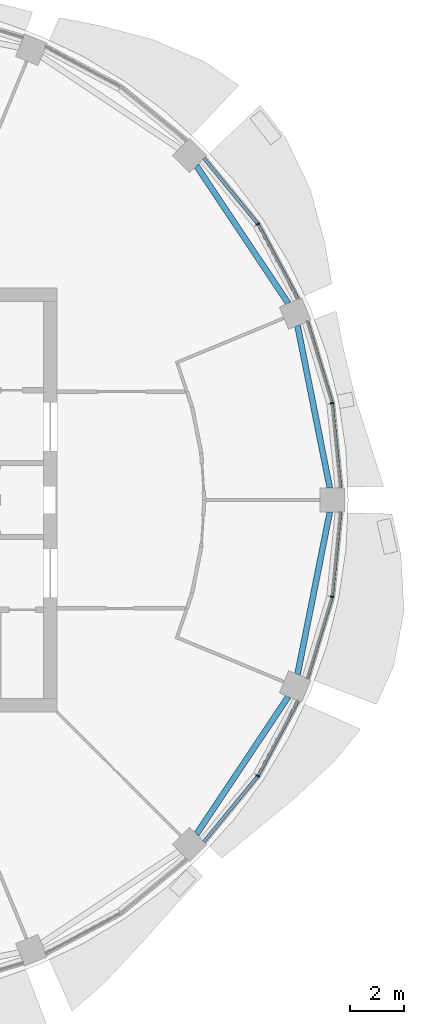
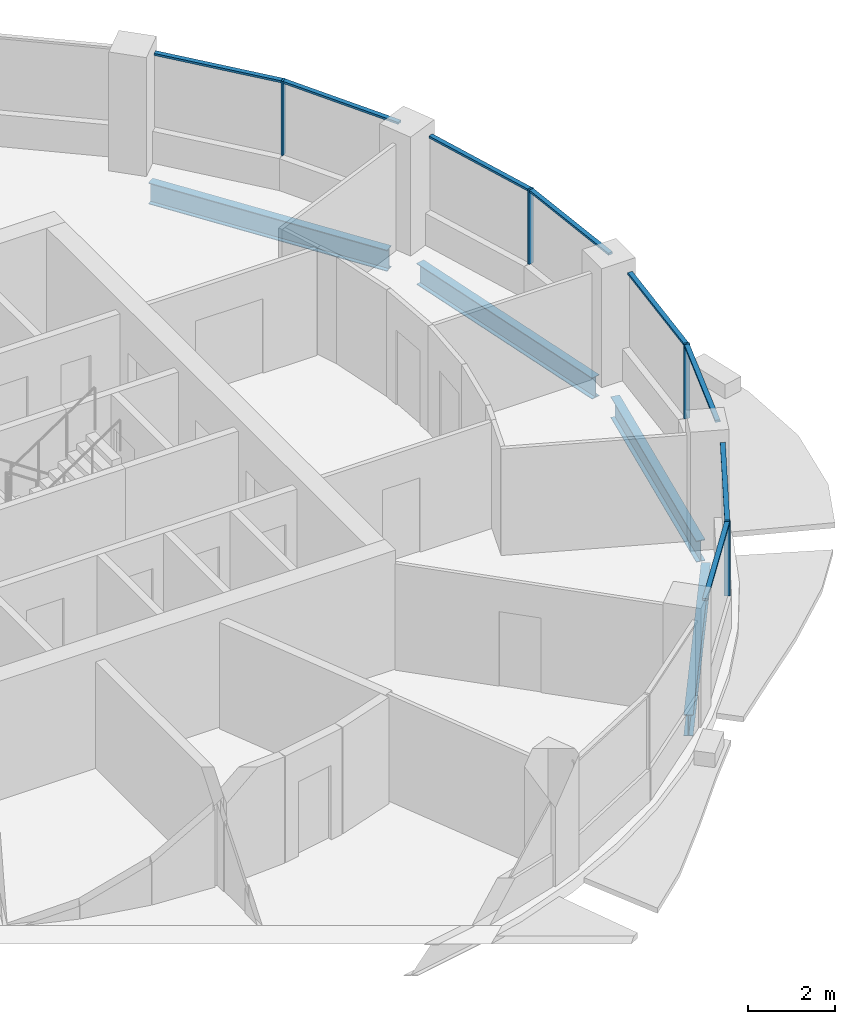
# One storey, part 5 of 15: 12 members, 4 beams, 4 elements without a shape of their own.
"""IFC4 building model written with IfcOpenShell, lengths in metres."""

from ifc_helpers import new_model, si_unit, direction, frame, origin, origin_2d, place, context, subcontext, project, spatial, rectangle, i_section, extrude, material, material_profile, profile_set, type_object, element, aggregate, save


model = new_model("IFC4")

# Units and contexts
model_context = context("Model", 3, precision=1e-05, world=origin(), true_north=direction((0.0, 1.0)))
body_context = subcontext(model_context, "Body", "Model", "MODEL_VIEW")
ifc_project = project(units=[si_unit("LENGTHUNIT", "METRE"), si_unit("AREAUNIT", "SQUARE_METRE"), si_unit("VOLUMEUNIT", "CUBIC_METRE"), si_unit("PLANEANGLEUNIT", "RADIAN"), si_unit("MASSUNIT", "GRAM", prefix="KILO")], contexts=[model_context])

# Site, building, storey
site_placement = place(None, origin())
site = spatial("IfcSite", under=ifc_project, at=site_placement, CompositionType="ELEMENT")
building_placement = place(site_placement, origin())
building = spatial("IfcBuilding", under=site, at=building_placement, Name="Polderwave Tower", CompositionType="ELEMENT")
storey_placement = place(building_placement, frame((0.0, 0.0, 167.550048828125)))
storey = spatial("IfcBuildingStorey", under=building, at=storey_placement, Name="L44", CompositionType="ELEMENT", Elevation=167.550048828125)

# Curtain wall, member
ifc_material_1 = material(Name="Aluminium 6063-T6 and glass", Category="aluminium")
curtain_wall_type = type_object("IfcCurtainWallType", Name="Office ribbon glazing wall", PredefinedType="NOTDEFINED", material=ifc_material_1)
curtain_wall_1_placement = place(storey_placement, origin())
curtain_wall_1 = element("IfcCurtainWall", 1, at=curtain_wall_1_placement, inside=storey, type_object=curtain_wall_type, Name="CW3 L44 00", PredefinedType="NOTDEFINED")
ifc_material_2 = material(Name="Aluminium 6063-T6", Category="aluminium")
ifc_material_profile_1 = material_profile(ifc_material_2, rectangle(XDim=0.139892578125, YDim=0.054931640625, at=origin_2d()), Name="AL 55x140")
ifc_profile_set_1 = profile_set([ifc_material_profile_1], Name="Aluminium 6063-T6")
member_type_1 = type_object("IfcMemberType", Name="Office ribbon glazing mullion 55x140", PredefinedType="MULLION", material=ifc_profile_set_1)
member_1_placement = place(storey_placement, frame((18.094970703125, 3.59912109375, 0.89990234375), z_axis=(0.0, 0.0, 1.0), x_axis=(-0.980783918392, -0.195097169184, 0.0)))
member_1 = element("IfcMember", 2, at=member_1_placement, type_object=member_type_1, Name="CW3 mullion 1", PredefinedType="MULLION", context=body_context, shape_type="SweptSolid", body=[
    extrude(rectangle(XDim=0.139892578125, YDim=0.054931640625, at=origin_2d()), origin(), (0.0, 0.0, 1.0), 2.10009765625),
])

curtain_wall_2_placement = place(storey_placement, origin())
curtain_wall_2 = element("IfcCurtainWall", 3, at=curtain_wall_2_placement, inside=storey, type_object=curtain_wall_type, Name="CW3 L44 01", PredefinedType="NOTDEFINED")
member_2_placement = place(storey_placement, frame((15.341064453125, 10.25, 0.89990234375), z_axis=(0.0, 0.0, 1.0), x_axis=(-0.831547176436, -0.555454132545, 0.0)))
member_2 = element("IfcMember", 4, at=member_2_placement, type_object=member_type_1, Name="CW3 mullion 1", PredefinedType="MULLION", context=body_context, shape_type="SweptSolid", body=[
    extrude(rectangle(XDim=0.139892578125, YDim=0.054931640625, at=origin_2d()), origin(), (0.0, 0.0, 1.0), 2.10009765625),
])

curtain_wall_3_placement = place(storey_placement, origin())
curtain_wall_3 = element("IfcCurtainWall", 5, at=curtain_wall_3_placement, inside=storey, type_object=curtain_wall_type, Name="CW3 L44 14", PredefinedType="NOTDEFINED")
member_3_placement = place(storey_placement, frame((15.341064453125, -10.25, 0.89990234375), z_axis=(0.0, 0.0, 1.0), x_axis=(-0.831547176436, 0.555454132545, 0.0)))
member_3 = element("IfcMember", 6, at=member_3_placement, type_object=member_type_1, Name="CW3 mullion 1", PredefinedType="MULLION", context=body_context, shape_type="SweptSolid", body=[
    extrude(rectangle(XDim=0.139892578125, YDim=0.054931640625, at=origin_2d()), origin(), (0.0, 0.0, 1.0), 2.10009765625),
])

curtain_wall_4_placement = place(storey_placement, origin())
curtain_wall_4 = element("IfcCurtainWall", 7, at=curtain_wall_4_placement, inside=storey, type_object=curtain_wall_type, Name="CW3 L44 15", PredefinedType="NOTDEFINED")
member_4_placement = place(storey_placement, frame((18.094970703125, -3.59912109375, 0.89990234375), z_axis=(0.0, 0.0, 1.0), x_axis=(-0.980783918392, 0.195097169184, 0.0)))
member_4 = element("IfcMember", 8, at=member_4_placement, type_object=member_type_1, Name="CW3 mullion 1", PredefinedType="MULLION", context=body_context, shape_type="SweptSolid", body=[
    extrude(rectangle(XDim=0.139892578125, YDim=0.054931640625, at=origin_2d()), origin(), (0.0, 0.0, 1.0), 2.10009765625),
])

# Member
ifc_material_profile_2 = material_profile(ifc_material_2, rectangle(XDim=0.1201171875, YDim=0.06005859375, at=origin_2d()), Name="AL 60x120")
ifc_profile_set_2 = profile_set([ifc_material_profile_2], Name="Aluminium 6063-T6")
member_type_2 = type_object("IfcMemberType", Name="Office ribbon glazing transom 60x120", PredefinedType="USERDEFINED", material=ifc_profile_set_2)
member_5_placement = place(storey_placement, frame((18.406005859375, 0.449951171875, 2.969970703125), z_axis=(-0.098301492731, 0.995156679386, 0.0), x_axis=(-0.995156679386, -0.098301492731, 0.0)))
member_5 = element("IfcMember", 9, at=member_5_placement, type_object=member_type_2, Name="CW3 transom 1", ObjectType="TRANSOM", PredefinedType="USERDEFINED", context=body_context, shape_type="SweptSolid", body=[
    extrude(rectangle(XDim=0.1201171875, YDim=0.06005859375, at=origin_2d()), origin(), (0.0, 0.0, 1.0), 3.13671875),
])

member_6_placement = place(storey_placement, frame((18.0869140625, 3.625244140625, 2.969970703125), z_axis=(-0.29000955494, 0.957023749989, 0.0), x_axis=(-0.957023749989, -0.29000955494, 0.0)))
member_6 = element("IfcMember", 10, at=member_6_placement, type_object=member_type_2, Name="CW3 transom 2", ObjectType="TRANSOM", PredefinedType="USERDEFINED", context=body_context, shape_type="SweptSolid", body=[
    extrude(rectangle(XDim=0.1201171875, YDim=0.06005859375, at=origin_2d()), origin(), (0.0, 0.0, 1.0), 3.137451171875),
])

aggregate(curtain_wall_1, [member_1, member_5, member_6])

member_7_placement = place(storey_placement, frame((16.83203125, 7.458984375, 2.969970703125), z_axis=(-0.471210255925, 0.882020915121, 0.0), x_axis=(-0.882020915121, -0.471210255925, 0.0)))
member_7 = element("IfcMember", 11, at=member_7_placement, type_object=member_type_2, Name="CW3 transom 1", ObjectType="TRANSOM", PredefinedType="USERDEFINED", context=body_context, shape_type="SweptSolid", body=[
    extrude(rectangle(XDim=0.1201171875, YDim=0.06005859375, at=origin_2d()), origin(), (0.0, 0.0, 1.0), 3.13671875),
])

member_8_placement = place(storey_placement, frame((15.323486328125, 10.271240234375, 2.969970703125), z_axis=(-0.634334495686, 0.773058696079, 0.0), x_axis=(-0.773058696079, -0.634334495686, 0.0)))
member_8 = element("IfcMember", 12, at=member_8_placement, type_object=member_type_2, Name="CW3 transom 2", ObjectType="TRANSOM", PredefinedType="USERDEFINED", context=body_context, shape_type="SweptSolid", body=[
    extrude(rectangle(XDim=0.1201171875, YDim=0.06005859375, at=origin_2d()), origin(), (0.0, 0.0, 1.0), 3.137939453125),
])

aggregate(curtain_wall_2, [member_2, member_7, member_8])

member_9_placement = place(storey_placement, frame((13.3330078125, -12.697021484375, 2.969970703125), z_axis=(0.634334495686, 0.773058696079, 0.0), x_axis=(-0.773058696079, 0.634334495686, 0.0)))
member_9 = element("IfcMember", 13, at=member_9_placement, type_object=member_type_2, Name="CW3 transom 1", ObjectType="TRANSOM", PredefinedType="USERDEFINED", context=body_context, shape_type="SweptSolid", body=[
    extrude(rectangle(XDim=0.1201171875, YDim=0.06005859375, at=origin_2d()), origin(), (0.0, 0.0, 1.0), 3.137939453125),
])

member_10_placement = place(storey_placement, frame((15.35400390625, -10.2255859375, 2.969970703125), z_axis=(0.471210255925, 0.882020915121, 0.0), x_axis=(-0.882020915121, 0.471210255925, 0.0)))
member_10 = element("IfcMember", 14, at=member_10_placement, type_object=member_type_2, Name="CW3 transom 2", ObjectType="TRANSOM", PredefinedType="USERDEFINED", context=body_context, shape_type="SweptSolid", body=[
    extrude(rectangle(XDim=0.1201171875, YDim=0.06005859375, at=origin_2d()), origin(), (0.0, 0.0, 1.0), 3.13671875),
])

aggregate(curtain_wall_3, [member_3, member_9, member_10])

member_11_placement = place(storey_placement, frame((17.177001953125, -6.6279296875, 2.969970703125), z_axis=(0.29000955494, 0.957023749989, 0.0), x_axis=(-0.957023749989, 0.29000955494, 0.0)))
member_11 = element("IfcMember", 15, at=member_11_placement, type_object=member_type_2, Name="CW3 transom 1", ObjectType="TRANSOM", PredefinedType="USERDEFINED", context=body_context, shape_type="SweptSolid", body=[
    extrude(rectangle(XDim=0.1201171875, YDim=0.06005859375, at=origin_2d()), origin(), (0.0, 0.0, 1.0), 3.137451171875),
])

member_12_placement = place(storey_placement, frame((18.09765625, -3.571533203125, 2.969970703125), z_axis=(0.098301492731, 0.995156679386, 0.0), x_axis=(-0.995156679386, 0.098301492731, 0.0)))
member_12 = element("IfcMember", 16, at=member_12_placement, type_object=member_type_2, Name="CW3 transom 2", ObjectType="TRANSOM", PredefinedType="USERDEFINED", context=body_context, shape_type="SweptSolid", body=[
    extrude(rectangle(XDim=0.1201171875, YDim=0.06005859375, at=origin_2d()), origin(), (0.0, 0.0, 1.0), 3.13671875),
])

aggregate(curtain_wall_4, [member_4, member_11, member_12])

# Beams
ifc_material_3 = material(Name="Steel S355", Category="steel")
ifc_material_profile_3 = material_profile(ifc_material_3, i_section(OverallWidth=0.219970703125, OverallDepth=0.60009765625, WebThickness=0.011962890625, FlangeThickness=0.01904296875, at=origin_2d()), Name="IPE 600")
ifc_profile_set_3 = profile_set([ifc_material_profile_3], Name="Steel S355")
beam_type = type_object("IfcBeamType", Name="RING BEAM IPE 600", PredefinedType="BEAM", material=ifc_profile_set_3)
for number, where, z_axis, x_axis, name in (
    (17, (18.010498046875, 0.449951171875, -0.650146484375), (-0.195084520666, 0.980786434346, 0.0), (-0.980786434346, -0.195084520666, 0.0), "ST-RB-L44-00"),
    (18, (16.46728515625, 7.30810546875, -0.650146484375), (-0.555570937424, 0.831469141634, 0.0), (-0.831469141634, -0.555570937424, 0.0), "ST-RB-L44-01"),
    (19, (13.053466796875, -12.417236328125, -0.650146484375), (0.555570937424, 0.831469141634, 0.0), (-0.831469141634, 0.555570937424, 0.0), "ST-RB-L44-14"),
    (20, (16.811767578125, -6.4765625, -0.650146484375), (0.195084520666, 0.980786434346, 0.0), (-0.980786434346, 0.195084520666, 0.0), "ST-RB-L44-15"),
):
    element("IfcBeam", number, at=place(storey_placement, frame(where, z_axis=z_axis, x_axis=x_axis)), inside=storey, type_object=beam_type, Name=name, PredefinedType="BEAM", context=body_context, shape_type="SweptSolid", body=[
        extrude(i_section(OverallWidth=0.219970703125, OverallDepth=0.60009765625, WebThickness=0.011962890625, FlangeThickness=0.01904296875, at=origin_2d()), origin(), (0.0, 0.0, 1.0), 6.144775390625),
    ])

save(model, "model.ifc")
